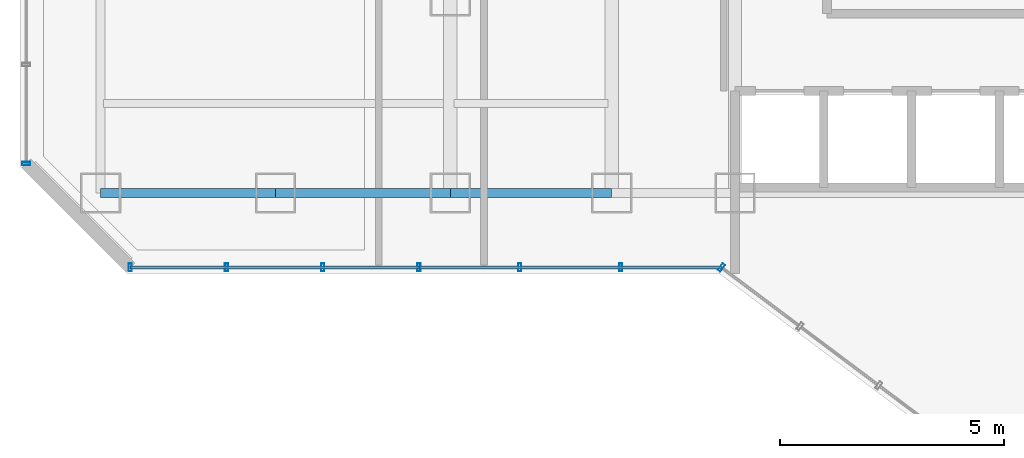
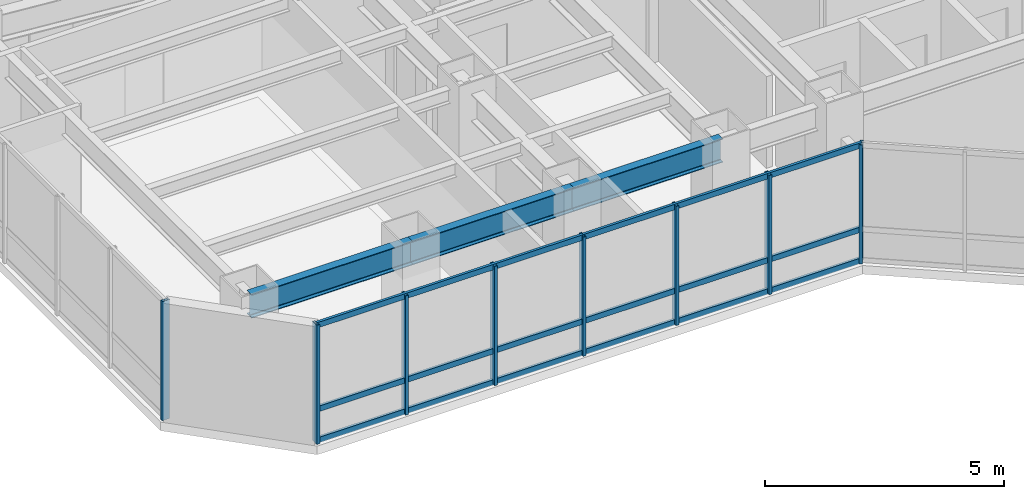
# One storey, part 5 of 36: 14 members, 3 beams, 4 elements without a shape of their own.
"""IFC4 building model written with IfcOpenShell, lengths in metres."""

from ifc_helpers import new_model, si_unit, direction, frame, origin, origin_2d, place, context, subcontext, project, spatial, hollow_rectangle, i_section, extrude, material, layer, layer_set, material_profile, profile_set, type_object, element, aggregate, save


model = new_model("IFC4")

# Units and contexts
model_context = context("Model", 3, precision=1e-05, world=origin(), true_north=direction((0.0, 1.0)))
body_context = subcontext(model_context, "Body", "Model", "MODEL_VIEW")
ifc_project = project(units=[si_unit("LENGTHUNIT", "METRE"), si_unit("AREAUNIT", "SQUARE_METRE"), si_unit("VOLUMEUNIT", "CUBIC_METRE"), si_unit("PLANEANGLEUNIT", "RADIAN"), si_unit("MASSUNIT", "GRAM", prefix="KILO")], contexts=[model_context])

# Site, building, storey
site_placement = place(None, origin())
site = spatial("IfcSite", under=ifc_project, at=site_placement, CompositionType="ELEMENT")
building_placement = place(site_placement, origin())
building = spatial("IfcBuilding", under=site, at=building_placement, Name="Hatsunagi Terrace Concourse", CompositionType="ELEMENT")
storey_placement = place(building_placement, frame((0.0, 0.0, 88.0)))
storey = spatial("IfcBuildingStorey", under=building, at=storey_placement, Name="L23", CompositionType="ELEMENT", Elevation=88.0)

# Curtain wall, member
ifc_material_1 = material(Name="Anodised Aluminium Alloy 6063-T5", Category="aluminium")
ifc_layer = layer(ifc_material_1, 0.199951171875)
ifc_layer_set = layer_set([ifc_layer], Name="HotelFacade_CW02")
curtain_wall_type = type_object("IfcCurtainWallType", Name="HotelFacade_CW02", PredefinedType="NOTDEFINED", material=ifc_layer_set)
curtain_wall_1_placement = place(storey_placement, origin())
curtain_wall_1 = element("IfcCurtainWall", 1, at=curtain_wall_1_placement, inside=storey, type_object=curtain_wall_type, Name="Unitised Curtain Wall CW-02 CW-L23-05", PredefinedType="NOTDEFINED")
ifc_material_2 = material(Name="Anodised Aluminium Alloy 6063-T5", Category="aluminium")
ifc_material_profile_1 = material_profile(ifc_material_2, hollow_rectangle(XDim=0.070068359375, YDim=0.179931640625, WallThickness=0.00390625, at=origin_2d()), Name="ALU-MUL-180x70x4")
ifc_profile_set_1 = profile_set([ifc_material_profile_1], Name="Anodised Aluminium Alloy 6063-T5")
member_type_1 = type_object("IfcMemberType", Name="CurtainWallMullion_180x70", PredefinedType="MULLION", material=ifc_profile_set_1)
member_1_placement = place(storey_placement, frame((25.2470703125, 23.5400390625, 0.0), z_axis=(0.0, 0.0, 1.0), x_axis=(-0.800003116929, 0.599995844072, 0.0)))
member_1 = element("IfcMember", 2, at=member_1_placement, type_object=member_type_1, Name="Curtain Wall Mullion MUL-02", PredefinedType="MULLION", context=body_context, shape_type="SweptSolid", body=[
    extrude(hollow_rectangle(XDim=0.070068359375, YDim=0.179931640625, WallThickness=0.00390625, at=origin_2d()), origin(), (0.0, 0.0, 1.0), 3.050048828125),
])
aggregate(curtain_wall_1, [member_1])

# Curtain wall, members
curtain_wall_2_placement = place(storey_placement, origin())
curtain_wall_2 = element("IfcCurtainWall", 3, at=curtain_wall_2_placement, inside=storey, type_object=curtain_wall_type, Name="Unitised Curtain Wall CW-02 CW-L23-06", PredefinedType="NOTDEFINED")
member_2_placement = place(storey_placement, frame((22.998046875, 23.5400390625, 0.0), z_axis=(0.0, 0.0, 1.0), x_axis=(-1.0, 0.0, 0.0)))
member_2 = element("IfcMember", 4, at=member_2_placement, type_object=member_type_1, Name="Curtain Wall Mullion MUL-02", PredefinedType="MULLION", context=body_context, shape_type="SweptSolid", body=[
    extrude(hollow_rectangle(XDim=0.070068359375, YDim=0.179931640625, WallThickness=0.00390625, at=origin_2d()), origin(), (0.0, 0.0, 1.0), 3.050048828125),
])
member_3_placement = place(storey_placement, frame((20.7490234375, 23.5400390625, 0.0), z_axis=(0.0, 0.0, 1.0), x_axis=(-1.0, 0.0, 0.0)))
member_3 = element("IfcMember", 5, at=member_3_placement, type_object=member_type_1, Name="Curtain Wall Mullion MUL-02", PredefinedType="MULLION", context=body_context, shape_type="SweptSolid", body=[
    extrude(hollow_rectangle(XDim=0.070068359375, YDim=0.179931640625, WallThickness=0.00390625, at=origin_2d()), origin(), (0.0, 0.0, 1.0), 3.050048828125),
])
member_4_placement = place(storey_placement, frame((18.5, 23.5400390625, 0.0), z_axis=(0.0, 0.0, 1.0), x_axis=(-1.0, 0.0, 0.0)))
member_4 = element("IfcMember", 6, at=member_4_placement, type_object=member_type_1, Name="Curtain Wall Mullion MUL-02", PredefinedType="MULLION", context=body_context, shape_type="SweptSolid", body=[
    extrude(hollow_rectangle(XDim=0.070068359375, YDim=0.179931640625, WallThickness=0.00390625, at=origin_2d()), origin(), (0.0, 0.0, 1.0), 3.050048828125),
])

curtain_wall_3_placement = place(storey_placement, origin())
curtain_wall_3 = element("IfcCurtainWall", 7, at=curtain_wall_3_placement, inside=storey, type_object=curtain_wall_type, Name="Unitised Curtain Wall CW-02 CW-L23-07", PredefinedType="NOTDEFINED")
member_5_placement = place(storey_placement, frame((16.35302734375, 23.5400390625, 0.0), z_axis=(0.0, 0.0, 1.0), x_axis=(-1.0, 0.0, 0.0)))
member_5 = element("IfcMember", 8, at=member_5_placement, type_object=member_type_1, Name="Curtain Wall Mullion MUL-02", PredefinedType="MULLION", context=body_context, shape_type="SweptSolid", body=[
    extrude(hollow_rectangle(XDim=0.070068359375, YDim=0.179931640625, WallThickness=0.00390625, at=origin_2d()), origin(), (0.0, 0.0, 1.0), 3.050048828125),
])
member_6_placement = place(storey_placement, frame((14.205078125, 23.5400390625, 0.0), z_axis=(0.0, 0.0, 1.0), x_axis=(-1.0, 0.0, 0.0)))
member_6 = element("IfcMember", 9, at=member_6_placement, type_object=member_type_1, Name="Curtain Wall Mullion MUL-02", PredefinedType="MULLION", context=body_context, shape_type="SweptSolid", body=[
    extrude(hollow_rectangle(XDim=0.070068359375, YDim=0.179931640625, WallThickness=0.00390625, at=origin_2d()), origin(), (0.0, 0.0, 1.0), 3.050048828125),
])
member_7_placement = place(storey_placement, frame((12.05810546875, 23.5400390625, 0.0), z_axis=(0.0, 0.0, 1.0), x_axis=(-1.0, 0.0, 0.0)))
member_7 = element("IfcMember", 10, at=member_7_placement, type_object=member_type_1, Name="Curtain Wall Mullion MUL-02", PredefinedType="MULLION", context=body_context, shape_type="SweptSolid", body=[
    extrude(hollow_rectangle(XDim=0.070068359375, YDim=0.179931640625, WallThickness=0.00390625, at=origin_2d()), origin(), (0.0, 0.0, 1.0), 3.050048828125),
])

# Curtain wall, member
curtain_wall_4_placement = place(storey_placement, origin())
curtain_wall_4 = element("IfcCurtainWall", 11, at=curtain_wall_4_placement, inside=storey, type_object=curtain_wall_type, Name="Unitised Curtain Wall CW-02 CW-L23-09", PredefinedType="NOTDEFINED")
member_8_placement = place(storey_placement, frame((9.739990234375, 25.85791015625, 0.0), z_axis=(0.0, 0.0, 1.0), x_axis=(0.0, 1.0, 0.0)))
member_8 = element("IfcMember", 12, at=member_8_placement, type_object=member_type_1, Name="Curtain Wall Mullion MUL-02", PredefinedType="MULLION", context=body_context, shape_type="SweptSolid", body=[
    extrude(hollow_rectangle(XDim=0.070068359375, YDim=0.179931640625, WallThickness=0.00390625, at=origin_2d()), origin(), (0.0, 0.0, 1.0), 3.050048828125),
])
aggregate(curtain_wall_4, [member_8])

# Member
ifc_material_3 = material(Name="Anodised Aluminium Alloy 6063-T5", Category="aluminium")
ifc_material_profile_2 = material_profile(ifc_material_3, hollow_rectangle(XDim=0.06494140625, YDim=0.139892578125, WallThickness=0.00390625, at=origin_2d()), Name="ALU-TRN-140x65x4")
ifc_profile_set_2 = profile_set([ifc_material_profile_2], Name="Anodised Aluminium Alloy 6063-T5")
member_type_2 = type_object("IfcMemberType", Name="CurtainWallTransom_140x65", PredefinedType="USERDEFINED", material=ifc_profile_set_2)
member_9_placement = place(storey_placement, frame((25.2470703125, 23.5400390625, 0.050048828125), z_axis=(-1.0, 0.0, 0.0), x_axis=(0.0, -1.0, 0.0)))
member_9 = element("IfcMember", 13, at=member_9_placement, type_object=member_type_2, Name="Curtain Wall Transom TRN-02", ObjectType="TRANSOM", PredefinedType="USERDEFINED", context=body_context, shape_type="SweptSolid", body=[
    extrude(hollow_rectangle(XDim=0.06494140625, YDim=0.139892578125, WallThickness=0.00390625, at=origin_2d()), origin(), (0.0, 0.0, 1.0), 6.7470703125),
])

member_10_placement = place(storey_placement, frame((25.2470703125, 23.5400390625, 0.85009765625), z_axis=(-1.0, 0.0, 0.0), x_axis=(0.0, -1.0, 0.0)))
member_10 = element("IfcMember", 14, at=member_10_placement, type_object=member_type_2, Name="Curtain Wall Transom TRN-02", ObjectType="TRANSOM", PredefinedType="USERDEFINED", context=body_context, shape_type="SweptSolid", body=[
    extrude(hollow_rectangle(XDim=0.06494140625, YDim=0.139892578125, WallThickness=0.00390625, at=origin_2d()), origin(), (0.0, 0.0, 1.0), 6.7470703125),
])

member_11_placement = place(storey_placement, frame((25.2470703125, 23.5400390625, 3.0), z_axis=(-1.0, 0.0, 0.0), x_axis=(0.0, -1.0, 0.0)))
member_11 = element("IfcMember", 15, at=member_11_placement, type_object=member_type_2, Name="Curtain Wall Transom TRN-02", ObjectType="TRANSOM", PredefinedType="USERDEFINED", context=body_context, shape_type="SweptSolid", body=[
    extrude(hollow_rectangle(XDim=0.06494140625, YDim=0.139892578125, WallThickness=0.00390625, at=origin_2d()), origin(), (0.0, 0.0, 1.0), 6.7470703125),
])

aggregate(curtain_wall_2, [member_2, member_3, member_4, member_9, member_10, member_11])

member_12_placement = place(storey_placement, frame((18.5, 23.5400390625, 0.050048828125), z_axis=(-1.0, 0.0, 0.0), x_axis=(0.0, -1.0, 0.0)))
member_12 = element("IfcMember", 16, at=member_12_placement, type_object=member_type_2, Name="Curtain Wall Transom TRN-02", ObjectType="TRANSOM", PredefinedType="USERDEFINED", context=body_context, shape_type="SweptSolid", body=[
    extrude(hollow_rectangle(XDim=0.06494140625, YDim=0.139892578125, WallThickness=0.00390625, at=origin_2d()), origin(), (0.0, 0.0, 1.0), 6.44189453125),
])

member_13_placement = place(storey_placement, frame((18.5, 23.5400390625, 0.85009765625), z_axis=(-1.0, 0.0, 0.0), x_axis=(0.0, -1.0, 0.0)))
member_13 = element("IfcMember", 17, at=member_13_placement, type_object=member_type_2, Name="Curtain Wall Transom TRN-02", ObjectType="TRANSOM", PredefinedType="USERDEFINED", context=body_context, shape_type="SweptSolid", body=[
    extrude(hollow_rectangle(XDim=0.06494140625, YDim=0.139892578125, WallThickness=0.00390625, at=origin_2d()), origin(), (0.0, 0.0, 1.0), 6.44189453125),
])

member_14_placement = place(storey_placement, frame((18.5, 23.5400390625, 3.0), z_axis=(-1.0, 0.0, 0.0), x_axis=(0.0, -1.0, 0.0)))
member_14 = element("IfcMember", 18, at=member_14_placement, type_object=member_type_2, Name="Curtain Wall Transom TRN-02", ObjectType="TRANSOM", PredefinedType="USERDEFINED", context=body_context, shape_type="SweptSolid", body=[
    extrude(hollow_rectangle(XDim=0.06494140625, YDim=0.139892578125, WallThickness=0.00390625, at=origin_2d()), origin(), (0.0, 0.0, 1.0), 6.44189453125),
])

aggregate(curtain_wall_3, [member_5, member_6, member_7, member_12, member_13, member_14])

# Beams
ifc_material_4 = material(Name="Steel SN490B", Category="steel")
ifc_material_profile_3 = material_profile(ifc_material_4, i_section(OverallWidth=0.199951171875, OverallDepth=0.60009765625, WebThickness=0.010986328125, FlangeThickness=0.01708984375, FilletRadius=0.01806640625, at=origin_2d()), Name="H-600x200x11x17")
ifc_profile_set_3 = profile_set([ifc_material_profile_3], Name="Steel SN490B")
beam_type = type_object("IfcBeamType", Name="PerimeterSpandrel_H_600x200", PredefinedType="SPANDREL", material=ifc_profile_set_3)
beam_1_placement = place(storey_placement, frame((11.39990234375, 25.199951171875, 2.75), z_axis=(1.0, 0.0, 0.0), x_axis=(0.0, 1.0, 0.0)))
element("IfcBeam", 19, at=beam_1_placement, inside=storey, type_object=beam_type, Name="Beam SP-01 BM-L23-WS-11", PredefinedType="SPANDREL", context=body_context, shape_type="SweptSolid", body=[
    extrude(i_section(OverallWidth=0.199951171875, OverallDepth=0.60009765625, WebThickness=0.010986328125, FlangeThickness=0.01708984375, FilletRadius=0.01806640625, at=origin_2d()), origin(), (0.0, 0.0, 1.0), 3.900146484375),
])
beam_2_placement = place(storey_placement, frame((15.300048828125, 25.199951171875, 2.75), z_axis=(1.0, 0.0, 0.0), x_axis=(0.0, 1.0, 0.0)))
element("IfcBeam", 20, at=beam_2_placement, inside=storey, type_object=beam_type, Name="Beam SP-01 BM-L23-WS-15", PredefinedType="SPANDREL", context=body_context, shape_type="SweptSolid", body=[
    extrude(i_section(OverallWidth=0.199951171875, OverallDepth=0.60009765625, WebThickness=0.010986328125, FlangeThickness=0.01708984375, FilletRadius=0.01806640625, at=origin_2d()), origin(), (0.0, 0.0, 1.0), 3.89990234375),
])
beam_3_placement = place(storey_placement, frame((19.199951171875, 25.199951171875, 2.75), z_axis=(1.0, 0.0, 0.0), x_axis=(0.0, 1.0, 0.0)))
element("IfcBeam", 21, at=beam_3_placement, inside=storey, type_object=beam_type, Name="Beam SP-01 BM-L23-WS-19", PredefinedType="SPANDREL", context=body_context, shape_type="SweptSolid", body=[
    extrude(i_section(OverallWidth=0.199951171875, OverallDepth=0.60009765625, WebThickness=0.010986328125, FlangeThickness=0.01708984375, FilletRadius=0.01806640625, at=origin_2d()), origin(), (0.0, 0.0, 1.0), 3.60009765625),
])

save(model, "model.ifc")
